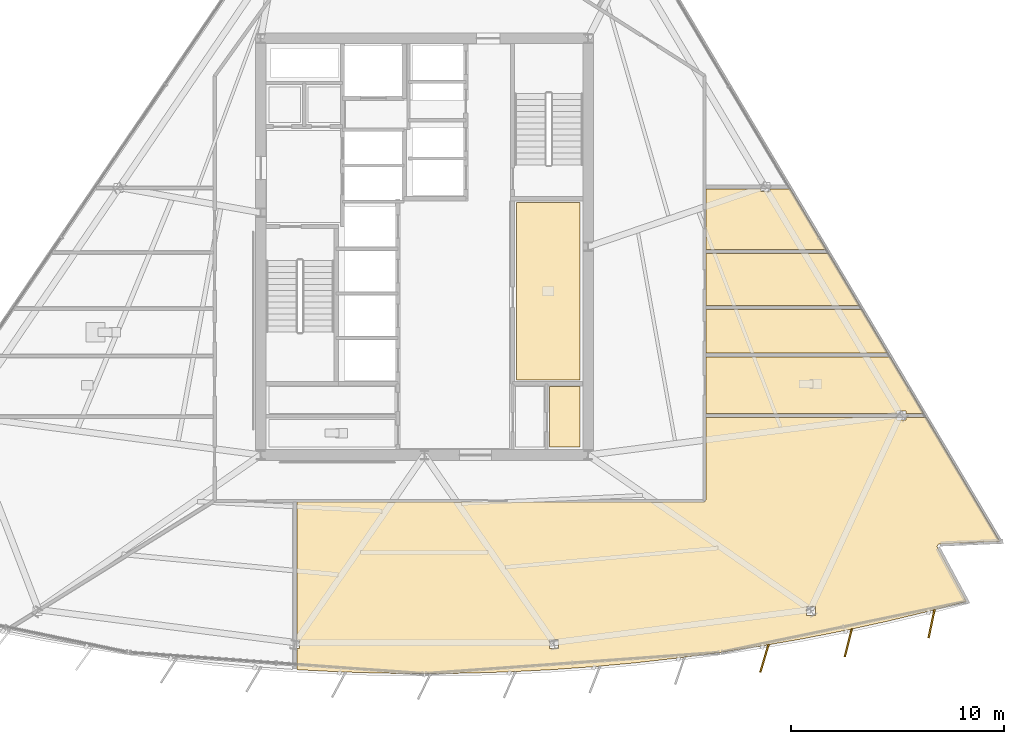
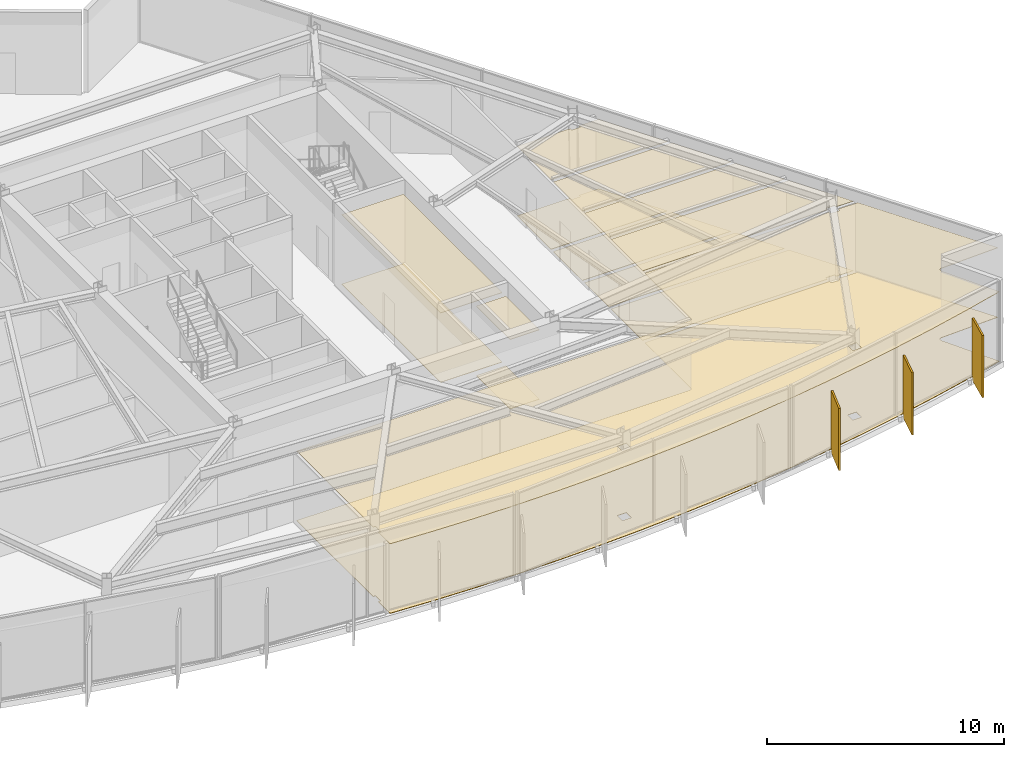
# One storey, part 12 of 14: 14 coverings, 3 shading devices.
"""IFC4 building model written with IfcOpenShell, lengths in metres."""

from ifc_helpers import new_model, si_unit, direction, frame, origin, origin_2d, place, context, subcontext, project, spatial, polyline, rectangle, outline, extrude, material, layer, layer_set, type_object, element, save


model = new_model("IFC4")

# Units and contexts
model_context = context("Model", 3, precision=1e-05, world=origin(), true_north=direction((0.0, 1.0)))
body_context = subcontext(model_context, "Body", "Model", "MODEL_VIEW")
ifc_project = project(units=[si_unit("LENGTHUNIT", "METRE"), si_unit("AREAUNIT", "SQUARE_METRE"), si_unit("VOLUMEUNIT", "CUBIC_METRE"), si_unit("PLANEANGLEUNIT", "RADIAN"), si_unit("MASSUNIT", "GRAM", prefix="KILO")], contexts=[model_context])

# Site, building, storey
site_placement = place(None, origin())
site = spatial("IfcSite", under=ifc_project, at=site_placement, CompositionType="ELEMENT")
building_placement = place(site_placement, origin())
building = spatial("IfcBuilding", under=site, at=building_placement, Name="Savorim Split Tower", CompositionType="ELEMENT")
storey_placement = place(building_placement, frame((0.0, 0.0, 134.10009765625)))
storey = spatial("IfcBuildingStorey", under=building, at=storey_placement, Name="L35", CompositionType="ELEMENT", Elevation=134.10009765625)

# Coverings
ifc_material_1 = material(Name="Mineral Fibre Acoustic Ceiling")
ifc_layer_1 = layer(ifc_material_1, 0.02490234375)
ifc_layer_set_1 = layer_set([ifc_layer_1], Name="COV-CEIL-25")
covering_type_1 = type_object("IfcCoveringType", Name="COV-CEIL-25", PredefinedType="CEILING", material=ifc_layer_set_1)
covering_1_placement = place(storey_placement, frame((0.0, 0.0, 3.56982421875)))
element("IfcCovering", 1, at=covering_1_placement, inside=storey, type_object=covering_type_1, Name="L35 Community Laundry Room Acoustic Ceiling", PredefinedType="CEILING", context=body_context, shape_type="SweptSolid", body=[
    extrude(outline(polyline([(4.330078125, 2.469970703125), (4.330078125, -5.8701171875), (7.320068359375, -5.8701171875), (7.320068359375, 2.469970703125), (4.330078125, 2.469970703125)])), origin(), (0.0, 0.0, 1.0), 0.025146484375),
])
covering_2_placement = place(storey_placement, frame((0.0, 0.0, 3.56982421875)))
element("IfcCovering", 2, at=covering_2_placement, inside=storey, type_object=covering_type_1, Name="L35 Recycling Chute Room Acoustic Ceiling", PredefinedType="CEILING", context=body_context, shape_type="SweptSolid", body=[
    extrude(outline(polyline([(5.8798828125, -6.179931640625), (5.8798828125, -9.02001953125), (7.320068359375, -9.02001953125), (7.320068359375, -6.179931640625), (5.8798828125, -6.179931640625)])), origin(), (0.0, 0.0, 1.0), 0.025146484375),
])
covering_3_placement = place(storey_placement, frame((0.0, 0.0, 3.56982421875)))
element("IfcCovering", 3, at=covering_3_placement, inside=storey, type_object=covering_type_1, Name="L35 Co-Working Commons Acoustic Ceiling", PredefinedType="CEILING", context=body_context, shape_type="SweptSolid", body=[
    extrude(outline(polyline([(24.2138671875, -13.5810546875), (24.22509765625, -13.5791015625), (24.236572265625, -13.577880859375), (27.058837890625, -13.457763671875), (23.58251953125, -7.611328125), (23.58251953125, -7.644287109375), (22.6533203125, -7.644287109375), (22.6533203125, -7.762939453125), (22.229248046875, -7.762939453125), (22.229248046875, -7.644287109375), (13.239990234375, -7.644287109375), (13.239990234375, -11.47998046875), (13.2392578125, -11.49365234375), (13.2373046875, -11.50732421875), (13.23388671875, -11.5205078125), (13.229248046875, -11.53369140625), (13.223388671875, -11.5458984375), (13.21630859375, -11.557861328125), (13.208251953125, -11.56884765625), (13.198974609375, -11.5791015625), (13.188720703125, -11.588134765625), (13.177734375, -11.596435546875), (13.166015625, -11.603515625), (13.153564453125, -11.609375), (13.140625, -11.614013671875), (13.127197265625, -11.6171875), (13.11376953125, -11.619384765625), (13.10009765625, -11.6201171875), (-6.002685546875, -11.6201171875), (-6.002685546875, -18.07177734375), (-5.8857421875, -18.07177734375), (-5.8857421875, -18.498779296875), (-6.002685546875, -18.498779296875), (-6.002685546875, -19.439453125), (-6.002685546875, -19.49658203125), (-5.98388671875, -19.497802734375), (-3.99072265625, -19.599853515625), (-1.99560546875, -19.6611328125), (0.0, -19.681640625), (1.99560546875, -19.6611328125), (3.99072265625, -19.599853515625), (5.98388671875, -19.497802734375), (7.974853515625, -19.35498046875), (9.962158203125, -19.17138671875), (11.945556640625, -18.947265625), (13.923828125, -18.6826171875), (15.89599609375, -18.37744140625), (17.86181640625, -18.031982421875), (19.8203125, -17.646484375), (21.770263671875, -17.220947265625), (23.711181640625, -16.755615234375), (25.495849609375, -16.288818359375), (24.135986328125, -13.75439453125), (24.131103515625, -13.744140625), (24.127197265625, -13.7333984375), (24.124267578125, -13.72216796875), (24.122314453125, -13.710693359375), (24.12158203125, -13.69921875), (24.1220703125, -13.6875), (24.123779296875, -13.67626953125), (24.126220703125, -13.664794921875), (24.1298828125, -13.654052734375), (24.134765625, -13.6435546875), (24.140380859375, -13.63330078125), (24.147216796875, -13.6240234375), (24.154541015625, -13.615234375), (24.162841796875, -13.607421875), (24.172119140625, -13.60009765625), (24.181640625, -13.593994140625), (24.19189453125, -13.588623046875), (24.20263671875, -13.584228515625), (24.2138671875, -13.5810546875)]), holes=[polyline([(5.8857421875, -18.498779296875), (6.309814453125, -18.498779296875), (6.309814453125, -18.07177734375), (5.8857421875, -18.07177734375), (5.8857421875, -18.498779296875)]), polyline([(18.406005859375, -16.94580078125), (18.406005859375, -16.518798828125), (17.98193359375, -16.518798828125), (17.98193359375, -16.94580078125), (18.406005859375, -16.94580078125)])]), origin(), (0.0, 0.0, 1.0), 0.025146484375),
])
covering_4_placement = place(storey_placement, frame((0.0, 0.0, 3.56982421875)))
element("IfcCovering", 4, at=covering_4_placement, inside=storey, type_object=covering_type_1, Name="L35 Accessible WC Acoustic Ceiling", PredefinedType="CEILING", context=body_context, shape_type="SweptSolid", body=[
    extrude(outline(polyline([(22.6533203125, -7.3359375), (22.6533203125, -7.454345703125), (23.4873046875, -7.454345703125), (23.489013671875, -7.454345703125), (21.90087890625, -4.783203125), (13.239990234375, -4.783203125), (13.239990234375, -7.454345703125), (22.229248046875, -7.454345703125), (22.229248046875, -7.3359375), (22.6533203125, -7.3359375)])), origin(), (0.0, 0.0, 1.0), 0.025146484375),
])
covering_5_placement = place(storey_placement, frame((0.0, 0.0, 3.56982421875)))
element("IfcCovering", 5, at=covering_5_placement, inside=storey, type_object=covering_type_1, Name="L35 Quiet Study Room Acoustic Ceiling", PredefinedType="CEILING", context=body_context, shape_type="SweptSolid", body=[
    extrude(outline(polyline([(21.787841796875, -4.59326171875), (20.580078125, -2.56201171875), (13.239990234375, -2.56201171875), (13.239990234375, -4.59326171875), (21.787841796875, -4.59326171875)])), origin(), (0.0, 0.0, 1.0), 0.025146484375),
])
covering_6_placement = place(storey_placement, frame((0.0, 0.0, 3.56982421875)))
element("IfcCovering", 6, at=covering_6_placement, inside=storey, type_object=covering_type_1, Name="L35 Co-Working Commons Acoustic Ceiling", PredefinedType="CEILING", context=body_context, shape_type="SweptSolid", body=[
    extrude(outline(polyline([(20.467041015625, -2.3720703125), (19.009521484375, 0.0791015625), (13.239990234375, 0.079345703125), (13.239990234375, -2.3720703125), (20.467041015625, -2.3720703125)])), origin(), (0.0, 0.0, 1.0), 0.025146484375),
])
covering_7_placement = place(storey_placement, frame((0.0, 0.0, 3.56982421875)))
element("IfcCovering", 7, at=covering_7_placement, inside=storey, type_object=covering_type_1, Name="L35 Quiet Study Room Acoustic Ceiling", PredefinedType="CEILING", context=body_context, shape_type="SweptSolid", body=[
    extrude(outline(polyline([(15.828369140625, 3.001953125), (15.828369140625, 3.12060546875), (13.239990234375, 3.12060546875), (13.239990234375, 0.269287109375), (18.896484375, 0.269287109375), (17.181396484375, 3.153564453125), (17.181396484375, 3.12060546875), (16.252197265625, 3.12060546875), (16.252197265625, 3.001953125), (15.828369140625, 3.001953125)])), origin(), (0.0, 0.0, 1.0), 0.025146484375),
])
ifc_material_2 = material(Name="Porcelain Stoneware Flooring", Category="masonry")
ifc_layer_2 = layer(ifc_material_2, 0.02001953125)
ifc_layer_set_2 = layer_set([ifc_layer_2], Name="COV-FLOR-20")
covering_type_2 = type_object("IfcCoveringType", Name="COV-FLOR-20", PredefinedType="FLOORING", material=ifc_layer_set_2)
covering_8_placement = place(storey_placement, origin())
element("IfcCovering", 8, at=covering_8_placement, inside=storey, type_object=covering_type_2, Name="L35 Community Laundry Room Porcelain Flooring", PredefinedType="FLOORING", context=body_context, shape_type="SweptSolid", body=[
    extrude(outline(polyline([(4.330078125, 2.469970703125), (4.330078125, -5.8701171875), (7.320068359375, -5.8701171875), (7.320068359375, 2.469970703125), (4.330078125, 2.469970703125)])), origin(), (0.0, 0.0, 1.0), 0.02001953125),
])
covering_9_placement = place(storey_placement, origin())
element("IfcCovering", 9, at=covering_9_placement, inside=storey, type_object=covering_type_2, Name="L35 Recycling Chute Room Porcelain Flooring", PredefinedType="FLOORING", context=body_context, shape_type="SweptSolid", body=[
    extrude(outline(polyline([(5.8798828125, -6.179931640625), (5.8798828125, -9.02001953125), (7.320068359375, -9.02001953125), (7.320068359375, -6.179931640625), (5.8798828125, -6.179931640625)])), origin(), (0.0, 0.0, 1.0), 0.02001953125),
])
covering_10_placement = place(storey_placement, origin())
element("IfcCovering", 10, at=covering_10_placement, inside=storey, type_object=covering_type_2, Name="L35 Co-Working Commons Porcelain Flooring", PredefinedType="FLOORING", context=body_context, shape_type="SweptSolid", body=[
    extrude(outline(polyline([(24.2138671875, -13.5810546875), (24.22509765625, -13.5791015625), (24.236572265625, -13.577880859375), (27.058837890625, -13.457763671875), (23.58251953125, -7.611328125), (23.58251953125, -7.644287109375), (22.6533203125, -7.644287109375), (22.6533203125, -7.762939453125), (22.229248046875, -7.762939453125), (22.229248046875, -7.644287109375), (13.239990234375, -7.644287109375), (13.239990234375, -11.47998046875), (13.2392578125, -11.49365234375), (13.2373046875, -11.50732421875), (13.23388671875, -11.5205078125), (13.229248046875, -11.53369140625), (13.223388671875, -11.5458984375), (13.21630859375, -11.557861328125), (13.208251953125, -11.56884765625), (13.198974609375, -11.5791015625), (13.188720703125, -11.588134765625), (13.177734375, -11.596435546875), (13.166015625, -11.603515625), (13.153564453125, -11.609375), (13.140625, -11.614013671875), (13.127197265625, -11.6171875), (13.11376953125, -11.619384765625), (13.10009765625, -11.6201171875), (-6.002685546875, -11.6201171875), (-6.002685546875, -18.07177734375), (-5.8857421875, -18.07177734375), (-5.8857421875, -18.498779296875), (-6.002685546875, -18.498779296875), (-6.002685546875, -19.439453125), (-6.002685546875, -19.49658203125), (-5.98388671875, -19.497802734375), (-3.99072265625, -19.599853515625), (-1.99560546875, -19.6611328125), (0.0, -19.681640625), (1.99560546875, -19.6611328125), (3.99072265625, -19.599853515625), (5.98388671875, -19.497802734375), (7.974853515625, -19.35498046875), (9.962158203125, -19.17138671875), (11.945556640625, -18.947265625), (13.923828125, -18.6826171875), (15.89599609375, -18.37744140625), (17.86181640625, -18.031982421875), (19.8203125, -17.646484375), (21.770263671875, -17.220947265625), (23.711181640625, -16.755615234375), (25.495849609375, -16.288818359375), (24.135986328125, -13.75439453125), (24.131103515625, -13.744140625), (24.127197265625, -13.7333984375), (24.124267578125, -13.72216796875), (24.122314453125, -13.710693359375), (24.12158203125, -13.69921875), (24.1220703125, -13.6875), (24.123779296875, -13.67626953125), (24.126220703125, -13.664794921875), (24.1298828125, -13.654052734375), (24.134765625, -13.6435546875), (24.140380859375, -13.63330078125), (24.147216796875, -13.6240234375), (24.154541015625, -13.615234375), (24.162841796875, -13.607421875), (24.172119140625, -13.60009765625), (24.181640625, -13.593994140625), (24.19189453125, -13.588623046875), (24.20263671875, -13.584228515625), (24.2138671875, -13.5810546875)]), holes=[polyline([(5.8857421875, -18.498779296875), (6.309814453125, -18.498779296875), (6.309814453125, -18.07177734375), (5.8857421875, -18.07177734375), (5.8857421875, -18.498779296875)]), polyline([(18.406005859375, -16.94580078125), (18.406005859375, -16.518798828125), (17.98193359375, -16.518798828125), (17.98193359375, -16.94580078125), (18.406005859375, -16.94580078125)])]), origin(), (0.0, 0.0, 1.0), 0.02001953125),
])
covering_11_placement = place(storey_placement, origin())
element("IfcCovering", 11, at=covering_11_placement, inside=storey, type_object=covering_type_2, Name="L35 Accessible WC Porcelain Flooring", PredefinedType="FLOORING", context=body_context, shape_type="SweptSolid", body=[
    extrude(outline(polyline([(22.6533203125, -7.3359375), (22.6533203125, -7.454345703125), (23.4873046875, -7.454345703125), (23.489013671875, -7.454345703125), (21.90087890625, -4.783203125), (13.239990234375, -4.783203125), (13.239990234375, -7.454345703125), (22.229248046875, -7.454345703125), (22.229248046875, -7.3359375), (22.6533203125, -7.3359375)])), origin(), (0.0, 0.0, 1.0), 0.02001953125),
])
covering_12_placement = place(storey_placement, origin())
element("IfcCovering", 12, at=covering_12_placement, inside=storey, type_object=covering_type_2, Name="L35 Quiet Study Room Porcelain Flooring", PredefinedType="FLOORING", context=body_context, shape_type="SweptSolid", body=[
    extrude(outline(polyline([(21.787841796875, -4.59326171875), (20.580078125, -2.56201171875), (13.239990234375, -2.56201171875), (13.239990234375, -4.59326171875), (21.787841796875, -4.59326171875)])), origin(), (0.0, 0.0, 1.0), 0.02001953125),
])
covering_13_placement = place(storey_placement, origin())
element("IfcCovering", 13, at=covering_13_placement, inside=storey, type_object=covering_type_2, Name="L35 Co-Working Commons Porcelain Flooring", PredefinedType="FLOORING", context=body_context, shape_type="SweptSolid", body=[
    extrude(outline(polyline([(20.467041015625, -2.3720703125), (19.009521484375, 0.0791015625), (13.239990234375, 0.079345703125), (13.239990234375, -2.3720703125), (20.467041015625, -2.3720703125)])), origin(), (0.0, 0.0, 1.0), 0.02001953125),
])
covering_14_placement = place(storey_placement, origin())
element("IfcCovering", 14, at=covering_14_placement, inside=storey, type_object=covering_type_2, Name="L35 Quiet Study Room Porcelain Flooring", PredefinedType="FLOORING", context=body_context, shape_type="SweptSolid", body=[
    extrude(outline(polyline([(15.828369140625, 3.001953125), (15.828369140625, 3.12060546875), (13.239990234375, 3.12060546875), (13.239990234375, 0.269287109375), (18.896484375, 0.269287109375), (17.181396484375, 3.153564453125), (17.181396484375, 3.12060546875), (16.252197265625, 3.12060546875), (16.252197265625, 3.001953125), (15.828369140625, 3.001953125)])), origin(), (0.0, 0.0, 1.0), 0.02001953125),
])

# Shading devices
ifc_material_3 = material(Name="Terracotta Ceramic-Coated Aluminium Fin", Category="masonry")
shading_device_type = type_object("IfcShadingDeviceType", Name="SHD-FIN-1360", PredefinedType="USERDEFINED", material=ifc_material_3)
for number, where, z_axis, x_axis, name in (
    (15, (15.993408203125, -18.965576171875, -0.2001953125), (0.0, 0.0, 1.0), (-0.286026212504, -0.958221793616, 0.0), "L35 Sawtooth Shading Fin 11"),
    (16, (19.94140625, -18.22998046875, -0.2001953125), (0.0, 0.0, 1.0), (-0.246581250663, -0.969122121727, 0.0), "L35 Sawtooth Shading Fin 12"),
    (17, (23.85595703125, -17.333740234375, -0.2001953125), (0.0, 0.0, 1.0), (-0.206721626106, -0.978399800337, 0.0), "L35 Sawtooth Shading Fin 13"),
):
    element("IfcShadingDevice", number, at=place(storey_placement, frame(where, z_axis=z_axis, x_axis=x_axis)), inside=storey, type_object=shading_device_type, Name=name, ObjectType="FIN", PredefinedType="USERDEFINED", context=body_context, shape_type="SweptSolid", body=[
        extrude(rectangle(XDim=1.360107421875, YDim=0.080078125, at=origin_2d()), origin(), (0.0, 0.0, 1.0), 3.199951171875),
    ])

save(model, "model.ifc")
